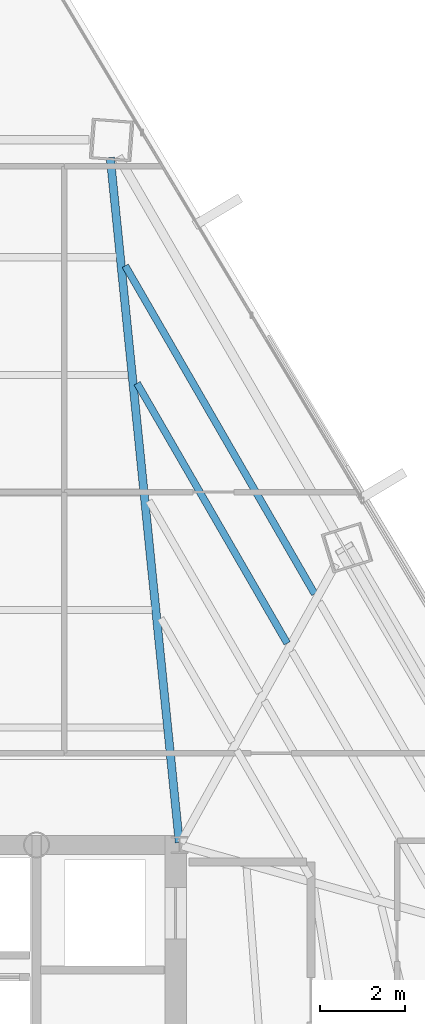
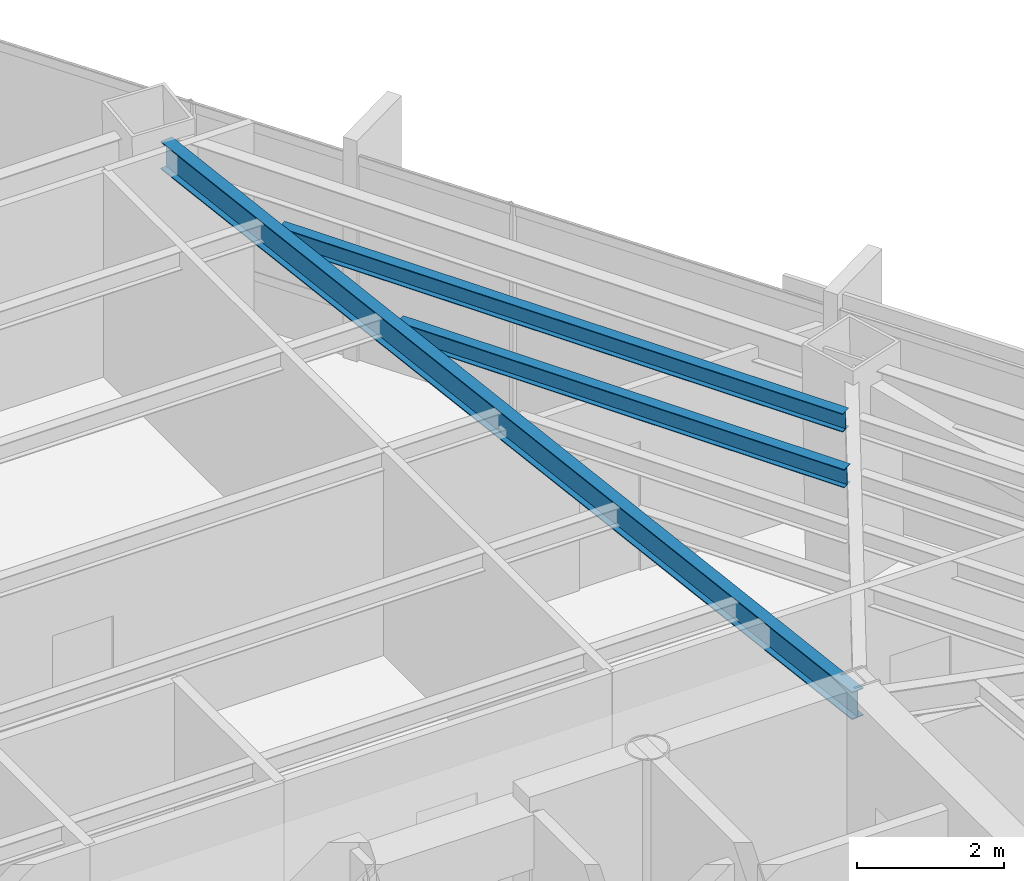
# One storey, part 31 of 41: 3 beams.
"""IFC4 building model written with IfcOpenShell, lengths in metres."""

from ifc_helpers import new_model, si_unit, direction, frame, origin, origin_2d, place, context, subcontext, project, spatial, i_section, extrude, source, transform, mapped, material, material_profile, profile_set, type_object, type_shapes, element, save


model = new_model("IFC4")

# Units and contexts
model_context = context("Model", 3, precision=1e-05, world=origin(), true_north=direction((0.0, 1.0)))
body_context = subcontext(model_context, "Body", "Model", "MODEL_VIEW")
ifc_project = project(units=[si_unit("LENGTHUNIT", "METRE"), si_unit("AREAUNIT", "SQUARE_METRE"), si_unit("VOLUMEUNIT", "CUBIC_METRE"), si_unit("PLANEANGLEUNIT", "RADIAN"), si_unit("MASSUNIT", "GRAM", prefix="KILO")], contexts=[model_context])

# Site, building, storey
site_placement = place(None, origin())
site = spatial("IfcSite", under=ifc_project, at=site_placement, CompositionType="ELEMENT")
building_placement = place(site_placement, origin())
building = spatial("IfcBuilding", under=site, at=building_placement, Name="Caelisora Broadcast Tower", CompositionType="ELEMENT")
storey_placement = place(building_placement, frame((0.0, 0.0, 169.449951171875)))
storey = spatial("IfcBuildingStorey", under=building, at=storey_placement, Name="L44", CompositionType="ELEMENT", Elevation=169.449951171875)

# Beams
ifc_material = material(Name="Steel Grade 350 (AS/NZS 3679.1)", Category="steel")
ifc_material_profile_1 = material_profile(ifc_material, i_section(OverallWidth=0.19091796875, OverallDepth=0.46044921875, WebThickness=0.010009765625, FlangeThickness=0.01611328125, at=origin_2d()), Name="Steel Grade 350 (AS/NZS 3679.1)")
ifc_profile_set_1 = profile_set([ifc_material_profile_1], Name="Steel Grade 350 (AS/NZS 3679.1)")
beam_type_1 = type_object("IfcBeamType", Name="PG06", PredefinedType="BEAM", material=ifc_profile_set_1)
shared_shape_1 = source(origin(), body_context, "Body", "SweptSolid", [
    extrude(i_section(OverallWidth=0.19091796875, OverallDepth=0.46044921875, WebThickness=0.010009765625, FlangeThickness=0.01611328125, at=origin_2d()), origin(), (0.0, 0.0, 1.0), 16.13134765625),
])
type_shapes(beam_type_1, [shared_shape_1])
beam_1_placement = place(storey_placement, frame((45.493896484375, 30.059814453125, 3.169921875), z_axis=(-0.100175007187, 0.994969832676, 0.0), x_axis=(-0.994969832676, -0.100175007187, 0.0)))
element("IfcBeam", 1, at=beam_1_placement, inside=storey, type_object=beam_type_1, Name="L44 beam PG06", PredefinedType="BEAM", context=body_context, shape_type="MappedRepresentation", body=[
    mapped(shared_shape_1, transform((0.0, 0.0, 0.0), scale=1.0)),
])
ifc_material_profile_2 = material_profile(ifc_material, i_section(OverallWidth=0.166015625, OverallDepth=0.30712890625, WebThickness=0.006591796875, FlangeThickness=0.01171875, at=origin_2d()), Name="Steel Grade 350 (AS/NZS 3679.1)")
ifc_profile_set_2 = profile_set([ifc_material_profile_2], Name="Steel Grade 350 (AS/NZS 3679.1)")
beam_type_2 = type_object("IfcBeamType", Name="SB03", PredefinedType="JOIST", material=ifc_profile_set_2)
shared_shape_2 = source(origin(), body_context, "Body", "SweptSolid", [
    extrude(i_section(OverallWidth=0.166015625, OverallDepth=0.30712890625, WebThickness=0.006591796875, FlangeThickness=0.01171875, at=origin_2d()), origin(), (0.0, 0.0, 1.0), 7.036376953125),
])
beam_2_placement = place(storey_placement, frame((48.0234375, 34.726318359375, 3.246337890625), z_axis=(-0.499982754166, 0.866035360443, 0.0), x_axis=(-0.866035360443, -0.499982754166, 0.0)))
element("IfcBeam", 2, at=beam_2_placement, inside=storey, type_object=beam_type_2, Name="L44 beam SB03", PredefinedType="JOIST", context=body_context, shape_type="MappedRepresentation", body=[
    mapped(shared_shape_2, transform((0.0, 0.0, 0.0), scale=1.0)),
])
shared_shape_3 = source(origin(), body_context, "Body", "SweptSolid", [
    extrude(i_section(OverallWidth=0.166015625, OverallDepth=0.30712890625, WebThickness=0.006591796875, FlangeThickness=0.01171875, at=origin_2d()), origin(), (0.0, 0.0, 1.0), 8.8798828125),
])
type_shapes(beam_type_2, [shared_shape_2, shared_shape_3])
beam_3_placement = place(storey_placement, frame((48.66796875, 35.884521484375, 3.246337890625), z_axis=(-0.500021524473, 0.866012976267, 0.0), x_axis=(-0.866012976267, -0.500021524473, 0.0)))
element("IfcBeam", 3, at=beam_3_placement, inside=storey, type_object=beam_type_2, Name="L44 beam SB03", PredefinedType="JOIST", context=body_context, shape_type="MappedRepresentation", body=[
    mapped(shared_shape_3, transform((0.0, 0.0, 0.0), scale=1.0)),
])

save(model, "model.ifc")
